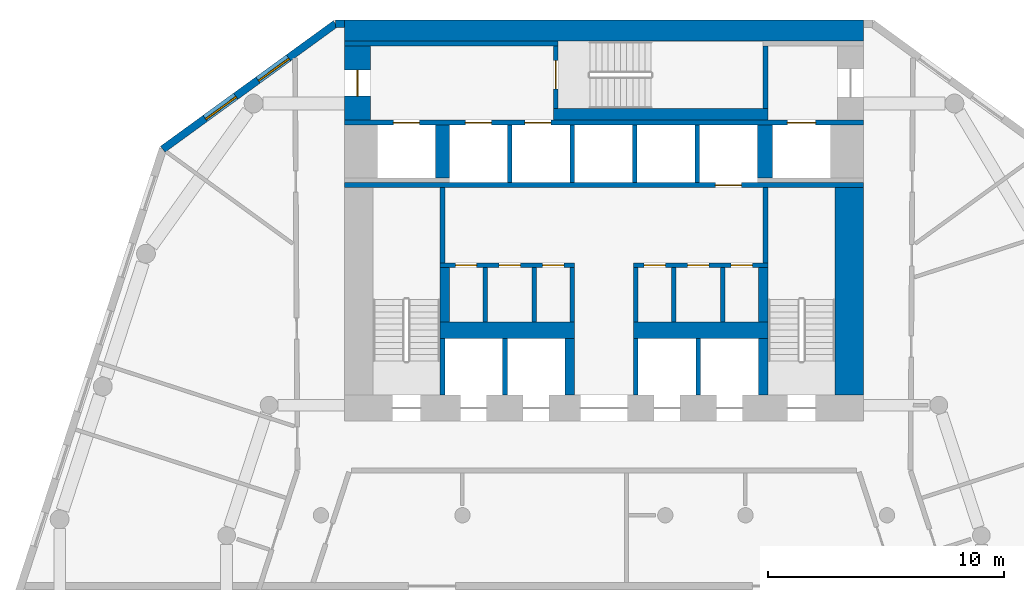
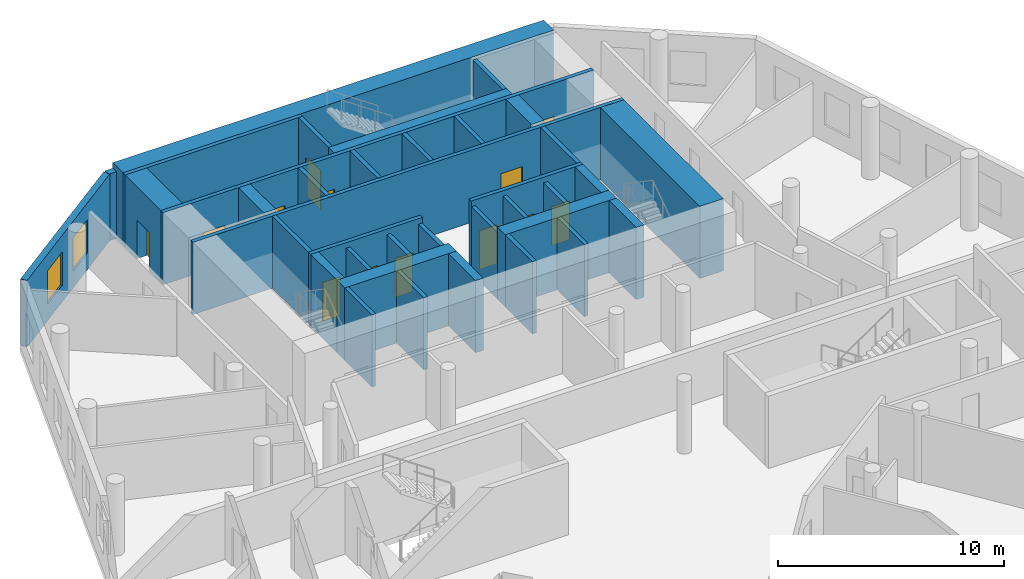
# One storey, part 5 of 9: 37 walls, 13 doors, 2 windows, 15 openings.
"""IFC4 building model written with IfcOpenShell, lengths in metres."""

from ifc_helpers import new_model, si_unit, direction, frame, frame_2d, origin, place, context, subcontext, project, spatial, rectangle, extrude, material, layer, layer_set, type_object, element, fill, save


model = new_model("IFC4")

# Units and contexts
model_context = context("Model", 3, precision=1e-05, world=origin(), true_north=direction((0.0, 1.0)))
body_context = subcontext(model_context, "Body", "Model", "MODEL_VIEW")
ifc_project = project(units=[si_unit("LENGTHUNIT", "METRE"), si_unit("AREAUNIT", "SQUARE_METRE"), si_unit("VOLUMEUNIT", "CUBIC_METRE"), si_unit("PLANEANGLEUNIT", "RADIAN"), si_unit("MASSUNIT", "GRAM", prefix="KILO")], contexts=[model_context])

# Site, building, storey
site_placement = place(None, origin())
site = spatial("IfcSite", under=ifc_project, at=site_placement, CompositionType="ELEMENT")
building_placement = place(site_placement, origin())
building = spatial("IfcBuilding", under=site, at=building_placement, Name="White Candle Pilgrim Tower", CompositionType="ELEMENT")
storey_placement = place(building_placement, frame((0.0, 0.0, 129.800048828125)))
storey = spatial("IfcBuildingStorey", under=building, at=storey_placement, Name="L29", CompositionType="ELEMENT", Elevation=129.800048828125)

# Wall, opening, door
ifc_material_1 = material(Name="Concrete C60/75", Category="concrete")
ifc_layer_1 = layer(ifc_material_1, 1.10009765625)
ifc_layer_set_1 = layer_set([ifc_layer_1], Name="Core wall 1100 mm Concrete C60/75")
wall_type_1 = type_object("IfcWallType", Name="Core wall 1100 mm Concrete C60/75", PredefinedType="SHEAR", material=ifc_layer_set_1)
wall_1_placement = place(storey_placement, frame((59.550048828125, 83.75, 0.0), z_axis=(0.0, 0.0, 1.0), x_axis=(0.0, 1.0, 0.0)))
wall_1 = element("IfcWall", 1, at=wall_1_placement, inside=storey, type_object=wall_type_1, Name="WL-L29-C46", PredefinedType="SHEAR", context=body_context, shape_type="SweptSolid", body=[
    extrude(rectangle(XDim=3.14990234375, YDim=1.10009765625, at=frame_2d((1.574951171875, 0.0))), origin(), (0.0, 0.0, 1.0), 3.89990234375),
])
opening_1_placement = place(wall_1_placement, frame((1.02490234375, 0.0, 0.0)))
opening_1 = element("IfcOpeningElement", 2, at=opening_1_placement, cuts=wall_1, Name="Opening T09-005", PredefinedType="OPENING", context=body_context, shape_type="SweptSolid", body=[
    extrude(rectangle(XDim=1.10009765625, YDim=2.10009765625, at=frame_2d((0.550048828125, 1.050048828125))), frame((0.0, 0.56005859375, 0.0), z_axis=(0.0, -1.0, 0.0), x_axis=(1.0, 0.0, 0.0)), (0.0, 0.0, 1.0), 1.1201171875),
])
ifc_material_2 = material(Name="Steel door leaf", Category="steel")
door_type_1 = type_object("IfcDoorType", Name="Fire door 1100 x 2100 EI 60", OperationType="NOTDEFINED", PredefinedType="DOOR", material=ifc_material_2)
door_1_placement = place(opening_1_placement, origin())
door_1 = element("IfcDoor", 3, at=door_1_placement, inside=storey, type_object=door_type_1, Name="Door T09-005", OperationType="SINGLE_SWING_LEFT", OverallHeight=2.10009765625, OverallWidth=1.10009765625, PredefinedType="DOOR", context=body_context, shape_type="SweptSolid", body=[
    extrude(rectangle(XDim=1.10009765625, YDim=2.10009765625, at=frame_2d((0.550048828125, 1.050048828125))), frame((0.0, 0.02490234375, 0.0), z_axis=(0.0, -1.0, 0.0), x_axis=(1.0, 0.0, 0.0)), (0.0, 0.0, 1.0), 0.050048828125),
])
fill(opening_1, door_1)

# Wall, openings, doors
ifc_layer_2 = layer(ifc_material_1, 0.199951171875)
ifc_layer_set_2 = layer_set([ifc_layer_2], Name="Core wall 200 mm Concrete C60/75")
wall_type_2 = type_object("IfcWallType", Name="Core wall 200 mm Concrete C60/75", PredefinedType="SHEAR", material=ifc_layer_set_2)
wall_2_placement = place(storey_placement, frame((59.0, 83.64990234375, 0.0), z_axis=(0.0, 0.0, 1.0), x_axis=(1.0, 0.0, 0.0)))
wall_2 = element("IfcWall", 4, at=wall_2_placement, inside=storey, type_object=wall_type_2, Name="WL-L29-C45", PredefinedType="SHEAR", context=body_context, shape_type="SweptSolid", body=[
    extrude(rectangle(XDim=22.0, YDim=0.199951171875, at=frame_2d((11.0, 0.0))), origin(), (0.0, 0.0, 1.0), 3.89990234375),
])
opening_2_placement = place(wall_2_placement, frame((5.125, 0.0, 0.0)))
opening_2 = element("IfcOpeningElement", 5, at=opening_2_placement, cuts=wall_2, Name="Opening T09-011", PredefinedType="OPENING", context=body_context, shape_type="SweptSolid", body=[
    extrude(rectangle(XDim=1.10009765625, YDim=2.10009765625, at=frame_2d((0.550048828125, 1.050048828125))), frame((0.0, 0.10986328125, 0.0), z_axis=(0.0, -1.0, 0.0), x_axis=(1.0, 0.0, 0.0)), (0.0, 0.0, 1.0), 0.219970703125),
])
opening_3_placement = place(wall_2_placement, frame((7.64990234375, 0.0, 0.0)))
opening_3 = element("IfcOpeningElement", 6, at=opening_3_placement, cuts=wall_2, Name="Opening T09-012", PredefinedType="OPENING", context=body_context, shape_type="SweptSolid", body=[
    extrude(rectangle(XDim=1.10009765625, YDim=2.10009765625, at=frame_2d((0.550048828125, 1.050048828125))), frame((0.0, 0.10986328125, 0.0), z_axis=(0.0, -1.0, 0.0), x_axis=(1.0, 0.0, 0.0)), (0.0, 0.0, 1.0), 0.219970703125),
])
opening_4_placement = place(wall_2_placement, frame((18.77490234375, 0.0, 0.0)))
opening_4 = element("IfcOpeningElement", 7, at=opening_4_placement, cuts=wall_2, Name="Opening T09-018", PredefinedType="OPENING", context=body_context, shape_type="SweptSolid", body=[
    extrude(rectangle(XDim=1.199951171875, YDim=2.10009765625, at=frame_2d((0.60009765625, 1.050048828125))), frame((0.0, 0.10986328125, 0.0), z_axis=(0.0, -1.0, 0.0), x_axis=(1.0, 0.0, 0.0)), (0.0, 0.0, 1.0), 0.219970703125),
])
opening_5_placement = place(wall_2_placement, frame((2.074951171875, 0.0, 0.0)))
opening_5 = element("IfcOpeningElement", 8, at=opening_5_placement, cuts=wall_2, Name="Opening T09-019", PredefinedType="OPENING", context=body_context, shape_type="SweptSolid", body=[
    extrude(rectangle(XDim=1.10009765625, YDim=2.10009765625, at=frame_2d((0.550048828125, 1.050048828125))), frame((0.0, 0.10986328125, 0.0), z_axis=(0.0, -1.0, 0.0), x_axis=(1.0, 0.0, 0.0)), (0.0, 0.0, 1.0), 0.219970703125),
])
ifc_material_3 = material(Name="Stainless steel", Category="steel")
door_type_2 = type_object("IfcDoorType", Name="Lift landing door 1100 x 2100 EI 60", OperationType="DOUBLE_DOOR_SLIDING", PredefinedType="DOOR", material=ifc_material_3)
door_2_placement = place(opening_2_placement, origin())
door_2 = element("IfcDoor", 9, at=door_2_placement, inside=storey, type_object=door_type_2, Name="Door T09-011", OperationType="DOUBLE_DOOR_SLIDING", OverallHeight=2.10009765625, OverallWidth=1.10009765625, PredefinedType="DOOR", context=body_context, shape_type="SweptSolid", body=[
    extrude(rectangle(XDim=1.10009765625, YDim=2.10009765625, at=frame_2d((0.550048828125, 1.050048828125))), frame((0.0, 0.02490234375, 0.0), z_axis=(0.0, -1.0, 0.0), x_axis=(1.0, 0.0, 0.0)), (0.0, 0.0, 1.0), 0.050048828125),
])
fill(opening_2, door_2)
door_3_placement = place(opening_3_placement, origin())
door_3 = element("IfcDoor", 10, at=door_3_placement, inside=storey, type_object=door_type_2, Name="Door T09-012", OperationType="DOUBLE_DOOR_SLIDING", OverallHeight=2.10009765625, OverallWidth=1.10009765625, PredefinedType="DOOR", context=body_context, shape_type="SweptSolid", body=[
    extrude(rectangle(XDim=1.10009765625, YDim=2.10009765625, at=frame_2d((0.550048828125, 1.050048828125))), frame((0.0, 0.02490234375, 0.0), z_axis=(0.0, -1.0, 0.0), x_axis=(1.0, 0.0, 0.0)), (0.0, 0.0, 1.0), 0.050048828125),
])
fill(opening_3, door_3)
door_4_placement = place(opening_5_placement, origin())
door_4 = element("IfcDoor", 11, at=door_4_placement, inside=storey, type_object=door_type_2, Name="Door T09-019", OperationType="DOUBLE_DOOR_SLIDING", OverallHeight=2.10009765625, OverallWidth=1.10009765625, PredefinedType="DOOR", context=body_context, shape_type="SweptSolid", body=[
    extrude(rectangle(XDim=1.10009765625, YDim=2.10009765625, at=frame_2d((0.550048828125, 1.050048828125))), frame((0.0, 0.02490234375, 0.0), z_axis=(0.0, -1.0, 0.0), x_axis=(1.0, 0.0, 0.0)), (0.0, 0.0, 1.0), 0.050048828125),
])
fill(opening_5, door_4)
door_type_3 = type_object("IfcDoorType", Name="Lift landing door 1200 x 2100 E 60", OperationType="DOUBLE_DOOR_SLIDING", PredefinedType="DOOR", material=ifc_material_3)
door_5_placement = place(opening_4_placement, origin())
door_5 = element("IfcDoor", 12, at=door_5_placement, inside=storey, type_object=door_type_3, Name="Door T09-018", OperationType="DOUBLE_DOOR_SLIDING", OverallHeight=2.10009765625, OverallWidth=1.199951171875, PredefinedType="DOOR", context=body_context, shape_type="SweptSolid", body=[
    extrude(rectangle(XDim=1.199951171875, YDim=2.10009765625, at=frame_2d((0.60009765625, 1.050048828125))), frame((0.0, 0.02490234375, 0.0), z_axis=(0.0, -1.0, 0.0), x_axis=(1.0, 0.0, 0.0)), (0.0, 0.0, 1.0), 0.050048828125),
])
fill(opening_4, door_5)

# Wall
ifc_material_4 = material(Name="Precast concrete C40/50", Category="concrete")
ifc_layer_3 = layer(ifc_material_4, 0.320068359375)
ifc_layer_set_3 = layer_set([ifc_layer_3], Name="Facade wall EW1 precast concrete C40/50 pier wall with timber-lined reveals")
wall_type_3 = type_object("IfcWallType", Name="Facade wall EW1 precast concrete C40/50 pier wall with timber-lined reveals", PredefinedType="SOLIDWALL", material=ifc_layer_set_3)
wall_3_placement = place(storey_placement, frame((59.0, 87.840087890625, 0.0), z_axis=(0.0, 0.0, 1.0), x_axis=(-1.0, 0.0, 0.0)))
element("IfcWall", 13, at=wall_3_placement, inside=storey, type_object=wall_type_3, Name="Facade wall L29 N", PredefinedType="SOLIDWALL", context=body_context, shape_type="SweptSolid", body=[
    extrude(rectangle(XDim=0.385009765625, YDim=0.320068359375, at=frame_2d((0.1923828125, 0.0))), origin(), (0.0, 0.0, 1.0), 3.599853515625),
])

# Wall, openings, windows
wall_4_placement = place(storey_placement, frame((58.614990234375, 87.840087890625, 0.0), z_axis=(0.0, 0.0, 1.0), x_axis=(-0.809020636, -0.587780239993, 0.0)))
wall_4 = element("IfcWall", 14, at=wall_4_placement, inside=storey, type_object=wall_type_3, Name="Facade wall L29 NW chamfer", PredefinedType="SOLIDWALL", context=body_context, shape_type="SweptSolid", body=[
    extrude(rectangle(XDim=9.0498046875, YDim=0.320068359375, at=frame_2d((4.52490234375, 0.0))), origin(), (0.0, 0.0, 1.0), 3.599853515625),
])
opening_6_placement = place(wall_4_placement, frame((2.459228515625, 0.0, 0.89990234375)))
opening_6 = element("IfcOpeningElement", 15, at=opening_6_placement, cuts=wall_4, Name="Opening W2", PredefinedType="OPENING", context=body_context, shape_type="SweptSolid", body=[
    extrude(rectangle(XDim=1.60009765625, YDim=1.800048828125, at=frame_2d((0.800048828125, 0.89990234375))), frame((0.0, 0.169921875, 0.0), z_axis=(0.0, -1.0, 0.0), x_axis=(1.0, 0.0, 0.0)), (0.0, 0.0, 1.0), 0.340087890625),
])
opening_7_placement = place(wall_4_placement, frame((5.224853515625, 0.0, 0.89990234375)))
opening_7 = element("IfcOpeningElement", 16, at=opening_7_placement, cuts=wall_4, Name="Opening W2", PredefinedType="OPENING", context=body_context, shape_type="SweptSolid", body=[
    extrude(rectangle(XDim=1.60009765625, YDim=1.800048828125, at=frame_2d((0.800048828125, 0.89990234375))), frame((0.0, 0.169921875, 0.0), z_axis=(0.0, -1.0, 0.0), x_axis=(1.0, 0.0, 0.0)), (0.0, 0.0, 1.0), 0.340087890625),
])
ifc_material_5 = material(Name="Timber frame with triple glazing", Category="wood")
window_type = type_object("IfcWindowType", Name="Window W2 1600x1800 timber frame triple glazing", PartitioningType="SINGLE_PANEL", PredefinedType="WINDOW", material=ifc_material_5)
window_1_placement = place(opening_6_placement, origin())
window_1 = element("IfcWindow", 17, at=window_1_placement, inside=storey, type_object=window_type, Name="Window W2 L29 NW chamfer 1", OverallHeight=1.800048828125, OverallWidth=1.60009765625, PartitioningType="SINGLE_PANEL", PredefinedType="WINDOW", context=body_context, shape_type="SweptSolid", body=[
    extrude(rectangle(XDim=1.60009765625, YDim=1.800048828125, at=frame_2d((0.800048828125, 0.89990234375))), frame((0.0, 0.070068359375, 0.0), z_axis=(0.0, -1.0, 0.0), x_axis=(1.0, 0.0, 0.0)), (0.0, 0.0, 1.0), 0.06005859375),
])
fill(opening_6, window_1)
window_2_placement = place(opening_7_placement, origin())
window_2 = element("IfcWindow", 18, at=window_2_placement, inside=storey, type_object=window_type, Name="Window W2 L29 NW chamfer 2", OverallHeight=1.800048828125, OverallWidth=1.60009765625, PartitioningType="SINGLE_PANEL", PredefinedType="WINDOW", context=body_context, shape_type="SweptSolid", body=[
    extrude(rectangle(XDim=1.60009765625, YDim=1.800048828125, at=frame_2d((0.800048828125, 0.89990234375))), frame((0.0, 0.070068359375, 0.0), z_axis=(0.0, -1.0, 0.0), x_axis=(1.0, 0.0, 0.0)), (0.0, 0.0, 1.0), 0.06005859375),
])
fill(opening_7, window_2)

# Walls
ifc_material_6 = material(Name="Gypsum board on steel studs", Category="steel")
ifc_layer_4 = layer(ifc_material_6, 0.199951171875)
ifc_layer_set_4 = layer_set([ifc_layer_4], Name="Lobby wall 200 mm EI 60")
wall_type_4 = type_object("IfcWallType", Name="Lobby wall 200 mm EI 60", PredefinedType="PARTITIONING", material=ifc_layer_set_4)
for number, where, z_axis, x_axis, name in (
    (19, (64.9599609375, 75.199951171875, 0.0), (0.0, 0.0, 1.0), (0.0, 1.0, 0.0), "WL-L29-C23"),
    (20, (67.0400390625, 75.199951171875, 0.0), (0.0, 0.0, 1.0), (0.0, 1.0, 0.0), "WL-L29-C24"),
    (21, (68.64990234375, 75.199951171875, 0.0), (0.0, 0.0, 1.0), (0.0, 1.0, 0.0), "WL-L29-C25"),
    (22, (71.35009765625, 75.199951171875, 0.0), (0.0, 0.0, 1.0), (0.0, 1.0, 0.0), "WL-L29-C26"),
    (23, (72.9599609375, 75.199951171875, 0.0), (0.0, 0.0, 1.0), (0.0, 1.0, 0.0), "WL-L29-C27"),
    (24, (75.0400390625, 75.199951171875, 0.0), (0.0, 0.0, 1.0), (0.0, 1.0, 0.0), "WL-L29-C28"),
):
    element("IfcWall", number, at=place(storey_placement, frame(where, z_axis=z_axis, x_axis=x_axis)), inside=storey, type_object=wall_type_4, Name=name, PredefinedType="PARTITIONING", context=body_context, shape_type="SweptSolid", body=[
        extrude(rectangle(XDim=2.300048828125, YDim=0.199951171875, at=frame_2d((1.14990234375, 0.0))), origin(), (0.0, 0.0, 1.0), 3.599853515625),
    ])
ifc_layer_5 = layer(ifc_material_1, 0.199951171875)
ifc_layer_set_5 = layer_set([ifc_layer_5], Name="Shaft wall 200 mm Concrete C60/75")
wall_type_5 = type_object("IfcWallType", Name="Shaft wall 200 mm Concrete C60/75", PredefinedType="SHEAR", material=ifc_layer_set_5)
for number, where, z_axis, x_axis, name in (
    (25, (65.800048828125, 72.10009765625, 0.0), (0.0, 0.0, 1.0), (0.0, 1.0, 0.0), "WL-L29-C14"),
    (26, (71.35009765625, 72.10009765625, 0.0), (0.0, 0.0, 1.0), (0.0, 1.0, 0.0), "WL-L29-C16"),
    (27, (74.0, 72.10009765625, 0.0), (0.0, 0.0, 1.0), (0.0, 1.0, 0.0), "WL-L29-C17"),
):
    element("IfcWall", number, at=place(storey_placement, frame(where, z_axis=z_axis, x_axis=x_axis)), inside=storey, type_object=wall_type_5, Name=name, PredefinedType="SHEAR", context=body_context, shape_type="SweptSolid", body=[
        extrude(rectangle(XDim=2.39990234375, YDim=0.199951171875, at=frame_2d((1.199951171875, 0.0))), origin(), (0.0, 0.0, 1.0), 3.89990234375),
    ])
for number, where, z_axis, x_axis, name in (
    (28, (66.0, 81.10009765625, 0.0), (0.0, 0.0, 1.0), (0.0, 1.0, 0.0), "WL-L29-C36"),
    (29, (68.64990234375, 81.10009765625, 0.0), (0.0, 0.0, 1.0), (0.0, 1.0, 0.0), "WL-L29-C37"),
    (30, (71.300048828125, 81.10009765625, 0.0), (0.0, 0.0, 1.0), (0.0, 1.0, 0.0), "WL-L29-C38"),
    (31, (73.949951171875, 81.10009765625, 0.0), (0.0, 0.0, 1.0), (0.0, 1.0, 0.0), "WL-L29-C39"),
):
    element("IfcWall", number, at=place(storey_placement, frame(where, z_axis=z_axis, x_axis=x_axis)), inside=storey, type_object=wall_type_5, Name=name, PredefinedType="SHEAR", context=body_context, shape_type="SweptSolid", body=[
        extrude(rectangle(XDim=2.449951171875, YDim=0.199951171875, at=frame_2d((1.22509765625, 0.0))), origin(), (0.0, 0.0, 1.0), 3.89990234375),
    ])
ifc_layer_6 = layer(ifc_material_1, 0.39990234375)
ifc_layer_set_6 = layer_set([ifc_layer_6], Name="Shaft wall 400 mm Concrete C60/75")
wall_type_6 = type_object("IfcWallType", Name="Shaft wall 400 mm Concrete C60/75", PredefinedType="SHEAR", material=ifc_layer_set_6)
wall_5_placement = place(storey_placement, frame((68.550048828125, 72.10009765625, 0.0), z_axis=(0.0, 0.0, 1.0), x_axis=(0.0, 1.0, 0.0)))
element("IfcWall", 32, at=wall_5_placement, inside=storey, type_object=wall_type_6, Name="WL-L29-C15", PredefinedType="SHEAR", context=body_context, shape_type="SweptSolid", body=[
    extrude(rectangle(XDim=2.39990234375, YDim=0.39990234375, at=frame_2d((1.199951171875, 0.0))), origin(), (0.0, 0.0, 1.0), 3.89990234375),
])
ifc_layer_7 = layer(ifc_material_1, 0.60009765625)
ifc_layer_set_7 = layer_set([ifc_layer_7], Name="Shaft wall 600 mm Concrete C60/75")
wall_type_7 = type_object("IfcWallType", Name="Shaft wall 600 mm Concrete C60/75", PredefinedType="SHEAR", material=ifc_layer_set_7)
wall_6_placement = place(storey_placement, frame((63.14990234375, 81.300048828125, 0.0), z_axis=(0.0, 0.0, 1.0), x_axis=(0.0, 1.0, 0.0)))
element("IfcWall", 33, at=wall_6_placement, inside=storey, type_object=wall_type_7, Name="WL-L29-C42", PredefinedType="SHEAR", context=body_context, shape_type="SweptSolid", body=[
    extrude(rectangle(XDim=2.25, YDim=0.60009765625, at=frame_2d((1.125, 0.0))), origin(), (0.0, 0.0, 1.0), 3.89990234375),
])
ifc_layer_8 = layer(ifc_material_1, 0.64990234375)
ifc_layer_set_8 = layer_set([ifc_layer_8], Name="Shaft wall 650 mm Concrete C60/75")
wall_type_8 = type_object("IfcWallType", Name="Shaft wall 650 mm Concrete C60/75", PredefinedType="SHEAR", material=ifc_layer_set_8)
wall_7_placement = place(storey_placement, frame((76.824951171875, 81.300048828125, 0.0), z_axis=(0.0, 0.0, 1.0), x_axis=(0.0, 1.0, 0.0)))
element("IfcWall", 34, at=wall_7_placement, inside=storey, type_object=wall_type_8, Name="WL-L29-C43", PredefinedType="SHEAR", context=body_context, shape_type="SweptSolid", body=[
    extrude(rectangle(XDim=2.25, YDim=0.64990234375, at=frame_2d((1.125, 0.0))), origin(), (0.0, 0.0, 1.0), 3.89990234375),
])
ifc_layer_9 = layer(ifc_material_1, 1.199951171875)
ifc_layer_set_9 = layer_set([ifc_layer_9], Name="Stair shaft wall 1200 mm Concrete C60/75")
wall_type_9 = type_object("IfcWallType", Name="Stair shaft wall 1200 mm Concrete C60/75", PredefinedType="SHEAR", material=ifc_layer_set_9)
wall_8_placement = place(storey_placement, frame((80.39990234375, 72.10009765625, 0.0), z_axis=(0.0, 0.0, 1.0), x_axis=(0.0, 1.0, 0.0)))
element("IfcWall", 35, at=wall_8_placement, inside=storey, type_object=wall_type_9, Name="WL-L29-C19", PredefinedType="SHEAR", context=body_context, shape_type="SweptSolid", body=[
    extrude(rectangle(XDim=8.7998046875, YDim=1.199951171875, at=frame_2d((4.39990234375, 0.0))), origin(), (0.0, 0.0, 1.0), 3.89990234375),
])
ifc_layer_10 = layer(ifc_material_1, 0.199951171875)
ifc_layer_set_10 = layer_set([ifc_layer_10], Name="Stair shaft wall 200 mm Concrete C60/75")
wall_type_10 = type_object("IfcWallType", Name="Stair shaft wall 200 mm Concrete C60/75", PredefinedType="SHEAR", material=ifc_layer_set_10)
wall_9_placement = place(storey_placement, frame((63.14990234375, 72.10009765625, 0.0), z_axis=(0.0, 0.0, 1.0), x_axis=(0.0, 1.0, 0.0)))
element("IfcWall", 36, at=wall_9_placement, inside=storey, type_object=wall_type_10, Name="WL-L29-C13", PredefinedType="SHEAR", context=body_context, shape_type="SweptSolid", body=[
    extrude(rectangle(XDim=2.39990234375, YDim=0.199951171875, at=frame_2d((1.199951171875, 0.0))), origin(), (0.0, 0.0, 1.0), 3.89990234375),
])

# Wall, openings, doors
wall_10_placement = place(storey_placement, frame((63.050048828125, 77.60009765625, 0.0), z_axis=(0.0, 0.0, 1.0), x_axis=(1.0, 0.0, 0.0)))
wall_10 = element("IfcWall", 37, at=wall_10_placement, inside=storey, type_object=wall_type_10, Name="WL-L29-C30", PredefinedType="SHEAR", context=body_context, shape_type="SweptSolid", body=[
    extrude(rectangle(XDim=5.699951171875, YDim=0.199951171875, at=frame_2d((2.85009765625, 0.0))), origin(), (0.0, 0.0, 1.0), 3.89990234375),
])
opening_8_placement = place(wall_10_placement, frame((0.655029296875, 0.0, 0.0)))
opening_8 = element("IfcOpeningElement", 38, at=opening_8_placement, cuts=wall_10, Name="Opening T09-020", PredefinedType="OPENING", context=body_context, shape_type="SweptSolid", body=[
    extrude(rectangle(XDim=0.89990234375, YDim=2.10009765625, at=frame_2d((0.449951171875, 1.050048828125))), frame((0.0, 0.10986328125, 0.0), z_axis=(0.0, -1.0, 0.0), x_axis=(1.0, 0.0, 0.0)), (0.0, 0.0, 1.0), 0.219970703125),
])
opening_9_placement = place(wall_10_placement, frame((2.5, 0.0, 0.0)))
opening_9 = element("IfcOpeningElement", 39, at=opening_9_placement, cuts=wall_10, Name="Opening T09-021", PredefinedType="OPENING", context=body_context, shape_type="SweptSolid", body=[
    extrude(rectangle(XDim=0.89990234375, YDim=2.10009765625, at=frame_2d((0.449951171875, 1.050048828125))), frame((0.0, 0.10986328125, 0.0), z_axis=(0.0, -1.0, 0.0), x_axis=(1.0, 0.0, 0.0)), (0.0, 0.0, 1.0), 0.219970703125),
])
opening_10_placement = place(wall_10_placement, frame((4.344970703125, 0.0, 0.0)))
opening_10 = element("IfcOpeningElement", 40, at=opening_10_placement, cuts=wall_10, Name="Opening T09-022", PredefinedType="OPENING", context=body_context, shape_type="SweptSolid", body=[
    extrude(rectangle(XDim=0.89990234375, YDim=2.10009765625, at=frame_2d((0.449951171875, 1.050048828125))), frame((0.0, 0.10986328125, 0.0), z_axis=(0.0, -1.0, 0.0), x_axis=(1.0, 0.0, 0.0)), (0.0, 0.0, 1.0), 0.219970703125),
])
door_type_4 = type_object("IfcDoorType", Name="Fire door 900 x 2100 EI 30", OperationType="NOTDEFINED", PredefinedType="DOOR", material=ifc_material_2)
door_6_placement = place(opening_8_placement, origin())
door_6 = element("IfcDoor", 41, at=door_6_placement, inside=storey, type_object=door_type_4, Name="Door T09-020", OperationType="SINGLE_SWING_RIGHT", OverallHeight=2.10009765625, OverallWidth=0.89990234375, PredefinedType="DOOR", context=body_context, shape_type="SweptSolid", body=[
    extrude(rectangle(XDim=0.89990234375, YDim=2.10009765625, at=frame_2d((0.449951171875, 1.050048828125))), frame((0.0, 0.02490234375, 0.0), z_axis=(0.0, -1.0, 0.0), x_axis=(1.0, 0.0, 0.0)), (0.0, 0.0, 1.0), 0.050048828125),
])
fill(opening_8, door_6)
door_7_placement = place(opening_9_placement, origin())
door_7 = element("IfcDoor", 42, at=door_7_placement, inside=storey, type_object=door_type_4, Name="Door T09-021", OperationType="SINGLE_SWING_LEFT", OverallHeight=2.10009765625, OverallWidth=0.89990234375, PredefinedType="DOOR", context=body_context, shape_type="SweptSolid", body=[
    extrude(rectangle(XDim=0.89990234375, YDim=2.10009765625, at=frame_2d((0.449951171875, 1.050048828125))), frame((0.0, 0.02490234375, 0.0), z_axis=(0.0, -1.0, 0.0), x_axis=(1.0, 0.0, 0.0)), (0.0, 0.0, 1.0), 0.050048828125),
])
fill(opening_9, door_7)
door_8_placement = place(opening_10_placement, origin())
door_8 = element("IfcDoor", 43, at=door_8_placement, inside=storey, type_object=door_type_4, Name="Door T09-022", OperationType="SINGLE_SWING_RIGHT", OverallHeight=2.10009765625, OverallWidth=0.89990234375, PredefinedType="DOOR", context=body_context, shape_type="SweptSolid", body=[
    extrude(rectangle(XDim=0.89990234375, YDim=2.10009765625, at=frame_2d((0.449951171875, 1.050048828125))), frame((0.0, 0.02490234375, 0.0), z_axis=(0.0, -1.0, 0.0), x_axis=(1.0, 0.0, 0.0)), (0.0, 0.0, 1.0), 0.050048828125),
])
fill(opening_10, door_8)

wall_11_placement = place(storey_placement, frame((71.25, 77.60009765625, 0.0), z_axis=(0.0, 0.0, 1.0), x_axis=(1.0, 0.0, 0.0)))
wall_11 = element("IfcWall", 44, at=wall_11_placement, inside=storey, type_object=wall_type_10, Name="WL-L29-C31", PredefinedType="SHEAR", context=body_context, shape_type="SweptSolid", body=[
    extrude(rectangle(XDim=5.699951171875, YDim=0.199951171875, at=frame_2d((2.85009765625, 0.0))), origin(), (0.0, 0.0, 1.0), 3.89990234375),
])
opening_11_placement = place(wall_11_placement, frame((0.455078125, 0.0, 0.0)))
opening_11 = element("IfcOpeningElement", 45, at=opening_11_placement, cuts=wall_11, Name="Opening T09-023", PredefinedType="OPENING", context=body_context, shape_type="SweptSolid", body=[
    extrude(rectangle(XDim=0.89990234375, YDim=2.10009765625, at=frame_2d((0.449951171875, 1.050048828125))), frame((0.0, 0.10986328125, 0.0), z_axis=(0.0, -1.0, 0.0), x_axis=(1.0, 0.0, 0.0)), (0.0, 0.0, 1.0), 0.219970703125),
])
opening_12_placement = place(wall_11_placement, frame((2.300048828125, 0.0, 0.0)))
opening_12 = element("IfcOpeningElement", 46, at=opening_12_placement, cuts=wall_11, Name="Opening T09-024", PredefinedType="OPENING", context=body_context, shape_type="SweptSolid", body=[
    extrude(rectangle(XDim=0.89990234375, YDim=2.10009765625, at=frame_2d((0.449951171875, 1.050048828125))), frame((0.0, 0.10986328125, 0.0), z_axis=(0.0, -1.0, 0.0), x_axis=(1.0, 0.0, 0.0)), (0.0, 0.0, 1.0), 0.219970703125),
])
opening_13_placement = place(wall_11_placement, frame((4.14501953125, 0.0, 0.0)))
opening_13 = element("IfcOpeningElement", 47, at=opening_13_placement, cuts=wall_11, Name="Opening T09-025", PredefinedType="OPENING", context=body_context, shape_type="SweptSolid", body=[
    extrude(rectangle(XDim=0.89990234375, YDim=2.10009765625, at=frame_2d((0.449951171875, 1.050048828125))), frame((0.0, 0.10986328125, 0.0), z_axis=(0.0, -1.0, 0.0), x_axis=(1.0, 0.0, 0.0)), (0.0, 0.0, 1.0), 0.219970703125),
])
door_9_placement = place(opening_11_placement, origin())
door_9 = element("IfcDoor", 48, at=door_9_placement, inside=storey, type_object=door_type_4, Name="Door T09-023", OperationType="SINGLE_SWING_LEFT", OverallHeight=2.10009765625, OverallWidth=0.89990234375, PredefinedType="DOOR", context=body_context, shape_type="SweptSolid", body=[
    extrude(rectangle(XDim=0.89990234375, YDim=2.10009765625, at=frame_2d((0.449951171875, 1.050048828125))), frame((0.0, 0.02490234375, 0.0), z_axis=(0.0, -1.0, 0.0), x_axis=(1.0, 0.0, 0.0)), (0.0, 0.0, 1.0), 0.050048828125),
])
fill(opening_11, door_9)
door_10_placement = place(opening_12_placement, origin())
door_10 = element("IfcDoor", 49, at=door_10_placement, inside=storey, type_object=door_type_4, Name="Door T09-024", OperationType="SINGLE_SWING_RIGHT", OverallHeight=2.10009765625, OverallWidth=0.89990234375, PredefinedType="DOOR", context=body_context, shape_type="SweptSolid", body=[
    extrude(rectangle(XDim=0.89990234375, YDim=2.10009765625, at=frame_2d((0.449951171875, 1.050048828125))), frame((0.0, 0.02490234375, 0.0), z_axis=(0.0, -1.0, 0.0), x_axis=(1.0, 0.0, 0.0)), (0.0, 0.0, 1.0), 0.050048828125),
])
fill(opening_12, door_10)
door_11_placement = place(opening_13_placement, origin())
door_11 = element("IfcDoor", 50, at=door_11_placement, inside=storey, type_object=door_type_4, Name="Door T09-025", OperationType="SINGLE_SWING_LEFT", OverallHeight=2.10009765625, OverallWidth=0.89990234375, PredefinedType="DOOR", context=body_context, shape_type="SweptSolid", body=[
    extrude(rectangle(XDim=0.89990234375, YDim=2.10009765625, at=frame_2d((0.449951171875, 1.050048828125))), frame((0.0, 0.02490234375, 0.0), z_axis=(0.0, -1.0, 0.0), x_axis=(1.0, 0.0, 0.0)), (0.0, 0.0, 1.0), 0.050048828125),
])
fill(opening_13, door_11)

# Walls
for number, where, z_axis, x_axis, name in (
    (51, (63.14990234375, 77.699951171875, 0.0), (0.0, 0.0, 1.0), (0.0, 1.0, 0.0), "WL-L29-C32"),
    (52, (76.85009765625, 77.699951171875, 0.0), (0.0, 0.0, 1.0), (0.0, 1.0, 0.0), "WL-L29-C33"),
):
    element("IfcWall", number, at=place(storey_placement, frame(where, z_axis=z_axis, x_axis=x_axis)), inside=storey, type_object=wall_type_10, Name=name, PredefinedType="SHEAR", context=body_context, shape_type="SweptSolid", body=[
        extrude(rectangle(XDim=3.199951171875, YDim=0.199951171875, at=frame_2d((1.60009765625, 0.0))), origin(), (0.0, 0.0, 1.0), 3.89990234375),
    ])

# Wall, opening, door
wall_12_placement = place(storey_placement, frame((59.0, 81.0, 0.0), z_axis=(0.0, 0.0, 1.0), x_axis=(1.0, 0.0, 0.0)))
wall_12 = element("IfcWall", 53, at=wall_12_placement, inside=storey, type_object=wall_type_10, Name="WL-L29-C34", PredefinedType="SHEAR", context=body_context, shape_type="SweptSolid", body=[
    extrude(rectangle(XDim=22.0, YDim=0.199951171875, at=frame_2d((11.0, 0.0))), origin(), (0.0, 0.0, 1.0), 3.89990234375),
])
opening_14_placement = place(wall_12_placement, frame((15.72509765625, 0.0, 0.0)))
opening_14 = element("IfcOpeningElement", 54, at=opening_14_placement, cuts=wall_12, Name="Opening T09-013", PredefinedType="OPENING", context=body_context, shape_type="SweptSolid", body=[
    extrude(rectangle(XDim=1.10009765625, YDim=2.10009765625, at=frame_2d((0.550048828125, 1.050048828125))), frame((0.0, 0.10986328125, 0.0), z_axis=(0.0, -1.0, 0.0), x_axis=(1.0, 0.0, 0.0)), (0.0, 0.0, 1.0), 0.219970703125),
])
door_type_5 = type_object("IfcDoorType", Name="Lift landing door 1100 x 2100 E 60", OperationType="DOUBLE_DOOR_SLIDING", PredefinedType="DOOR", material=ifc_material_3)
door_12_placement = place(opening_14_placement, origin())
door_12 = element("IfcDoor", 55, at=door_12_placement, inside=storey, type_object=door_type_5, Name="Door T09-013", OperationType="DOUBLE_DOOR_SLIDING", OverallHeight=2.10009765625, OverallWidth=1.10009765625, PredefinedType="DOOR", context=body_context, shape_type="SweptSolid", body=[
    extrude(rectangle(XDim=1.10009765625, YDim=2.10009765625, at=frame_2d((0.550048828125, 1.050048828125))), frame((0.0, 0.02490234375, 0.0), z_axis=(0.0, -1.0, 0.0), x_axis=(1.0, 0.0, 0.0)), (0.0, 0.0, 1.0), 0.050048828125),
])
fill(opening_14, door_12)

wall_13_placement = place(storey_placement, frame((67.949951171875, 84.25, 0.0), z_axis=(0.0, 0.0, 1.0), x_axis=(0.0, 1.0, 0.0)))
wall_13 = element("IfcWall", 56, at=wall_13_placement, inside=storey, type_object=wall_type_10, Name="WL-L29-C49", PredefinedType="SHEAR", context=body_context, shape_type="SweptSolid", body=[
    extrude(rectangle(XDim=2.64990234375, YDim=0.199951171875, at=frame_2d((1.324951171875, 0.0))), origin(), (0.0, 0.0, 1.0), 3.89990234375),
])
opening_15_placement = place(wall_13_placement, frame((0.824951171875, 0.0, 0.0)))
opening_15 = element("IfcOpeningElement", 57, at=opening_15_placement, cuts=wall_13, Name="Opening T09-003", PredefinedType="OPENING", context=body_context, shape_type="SweptSolid", body=[
    extrude(rectangle(XDim=1.199951171875, YDim=2.10009765625, at=frame_2d((0.60009765625, 1.050048828125))), frame((0.0, 0.10986328125, 0.0), z_axis=(0.0, -1.0, 0.0), x_axis=(1.0, 0.0, 0.0)), (0.0, 0.0, 1.0), 0.219970703125),
])
door_type_6 = type_object("IfcDoorType", Name="Fire door 1200 x 2100 EI 60", OperationType="NOTDEFINED", PredefinedType="DOOR", material=ifc_material_2)
door_13_placement = place(opening_15_placement, frame((1.199951171875, 0.0, 0.0), z_axis=(0.0, 0.0, 1.0), x_axis=(-1.0, 0.0, 0.0)))
door_13 = element("IfcDoor", 58, at=door_13_placement, inside=storey, type_object=door_type_6, Name="Door T09-003", OperationType="SINGLE_SWING_RIGHT", OverallHeight=2.10009765625, OverallWidth=1.199951171875, PredefinedType="DOOR", context=body_context, shape_type="SweptSolid", body=[
    extrude(rectangle(XDim=1.199951171875, YDim=2.10009765625, at=frame_2d((0.60009765625, 1.050048828125))), frame((0.0, 0.02490234375, 0.0), z_axis=(0.0, -1.0, 0.0), x_axis=(1.0, 0.0, 0.0)), (0.0, 0.0, 1.0), 0.050048828125),
])
fill(opening_15, door_13)

# Walls
wall_14_placement = place(storey_placement, frame((76.85009765625, 84.25, 0.0), z_axis=(0.0, 0.0, 1.0), x_axis=(0.0, 1.0, 0.0)))
element("IfcWall", 59, at=wall_14_placement, inside=storey, type_object=wall_type_10, Name="WL-L29-C50", PredefinedType="SHEAR", context=body_context, shape_type="SweptSolid", body=[
    extrude(rectangle(XDim=2.64990234375, YDim=0.199951171875, at=frame_2d((1.324951171875, 0.0))), origin(), (0.0, 0.0, 1.0), 3.89990234375),
])
wall_15_placement = place(storey_placement, frame((59.0, 87.0, 0.0), z_axis=(0.0, 0.0, 1.0), x_axis=(1.0, 0.0, 0.0)))
element("IfcWall", 60, at=wall_15_placement, inside=storey, type_object=wall_type_10, Name="WL-L29-C51", PredefinedType="SHEAR", context=body_context, shape_type="SweptSolid", body=[
    extrude(rectangle(XDim=9.050048828125, YDim=0.199951171875, at=frame_2d((4.52490234375, 0.0))), origin(), (0.0, 0.0, 1.0), 3.89990234375),
])
ifc_layer_11 = layer(ifc_material_1, 0.39990234375)
ifc_layer_set_11 = layer_set([ifc_layer_11], Name="Stair shaft wall 400 mm Concrete C60/75")
wall_type_11 = type_object("IfcWallType", Name="Stair shaft wall 400 mm Concrete C60/75", PredefinedType="SHEAR", material=ifc_layer_set_11)
wall_16_placement = place(storey_placement, frame((76.75, 72.10009765625, 0.0), z_axis=(0.0, 0.0, 1.0), x_axis=(0.0, 1.0, 0.0)))
element("IfcWall", 61, at=wall_16_placement, inside=storey, type_object=wall_type_11, Name="WL-L29-C18", PredefinedType="SHEAR", context=body_context, shape_type="SweptSolid", body=[
    extrude(rectangle(XDim=2.39990234375, YDim=0.39990234375, at=frame_2d((1.199951171875, 0.0))), origin(), (0.0, 0.0, 1.0), 3.89990234375),
])
for number, where, z_axis, x_axis, name in (
    (62, (63.25, 75.199951171875, 0.0), (0.0, 0.0, 1.0), (0.0, 1.0, 0.0), "WL-L29-C22"),
    (63, (76.75, 75.199951171875, 0.0), (0.0, 0.0, 1.0), (0.0, 1.0, 0.0), "WL-L29-C29"),
):
    element("IfcWall", number, at=place(storey_placement, frame(where, z_axis=z_axis, x_axis=x_axis)), inside=storey, type_object=wall_type_11, Name=name, PredefinedType="SHEAR", context=body_context, shape_type="SweptSolid", body=[
        extrude(rectangle(XDim=2.300048828125, YDim=0.39990234375, at=frame_2d((1.14990234375, 0.0))), origin(), (0.0, 0.0, 1.0), 3.89990234375),
    ])
ifc_layer_12 = layer(ifc_material_1, 0.5)
ifc_layer_set_12 = layer_set([ifc_layer_12], Name="Stair shaft wall 500 mm Concrete C60/75")
wall_type_12 = type_object("IfcWallType", Name="Stair shaft wall 500 mm Concrete C60/75", PredefinedType="SHEAR", material=ifc_layer_set_12)
wall_17_placement = place(storey_placement, frame((67.85009765625, 84.0, 0.0), z_axis=(0.0, 0.0, 1.0), x_axis=(1.0, 0.0, 0.0)))
element("IfcWall", 64, at=wall_17_placement, inside=storey, type_object=wall_type_12, Name="WL-L29-C47", PredefinedType="SHEAR", context=body_context, shape_type="SweptSolid", body=[
    extrude(rectangle(XDim=9.099853515625, YDim=0.5, at=frame_2d((4.5498046875, 0.0))), origin(), (0.0, 0.0, 1.0), 3.89990234375),
])
ifc_layer_13 = layer(ifc_material_1, 0.699951171875)
ifc_layer_set_13 = layer_set([ifc_layer_13], Name="Stair shaft wall 700 mm Concrete C60/75")
wall_type_13 = type_object("IfcWallType", Name="Stair shaft wall 700 mm Concrete C60/75", PredefinedType="SHEAR", material=ifc_layer_set_13)
for number, where, z_axis, x_axis, name in (
    (65, (63.050048828125, 74.85009765625, 0.0), (0.0, 0.0, 1.0), (1.0, 0.0, 0.0), "WL-L29-C20"),
    (66, (71.25, 74.85009765625, 0.0), (0.0, 0.0, 1.0), (1.0, 0.0, 0.0), "WL-L29-C21"),
):
    element("IfcWall", number, at=place(storey_placement, frame(where, z_axis=z_axis, x_axis=x_axis)), inside=storey, type_object=wall_type_13, Name=name, PredefinedType="SHEAR", context=body_context, shape_type="SweptSolid", body=[
        extrude(rectangle(XDim=5.699951171875, YDim=0.699951171875, at=frame_2d((2.85009765625, 0.0))), origin(), (0.0, 0.0, 1.0), 3.89990234375),
    ])
ifc_layer_14 = layer(ifc_material_1, 0.89990234375)
ifc_layer_set_14 = layer_set([ifc_layer_14], Name="Stair shaft wall 900 mm Concrete C60/75")
wall_type_14 = type_object("IfcWallType", Name="Stair shaft wall 900 mm Concrete C60/75", PredefinedType="SHEAR", material=ifc_layer_set_14)
wall_18_placement = place(storey_placement, frame((59.0, 87.550048828125, 0.0), z_axis=(0.0, 0.0, 1.0), x_axis=(1.0, 0.0, 0.0)))
element("IfcWall", 67, at=wall_18_placement, inside=storey, type_object=wall_type_14, Name="WL-L29-C53", PredefinedType="SHEAR", context=body_context, shape_type="SweptSolid", body=[
    extrude(rectangle(XDim=22.0, YDim=0.89990234375, at=frame_2d((11.0, 0.0))), origin(), (0.0, 0.0, 1.0), 3.89990234375),
])

save(model, "model.ifc")
